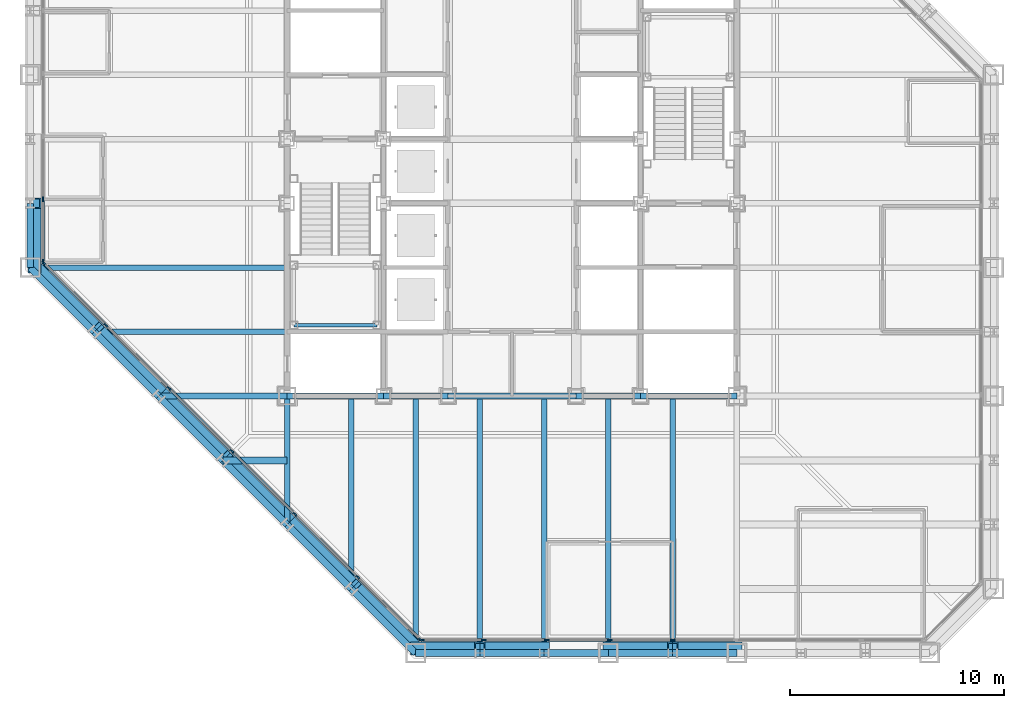
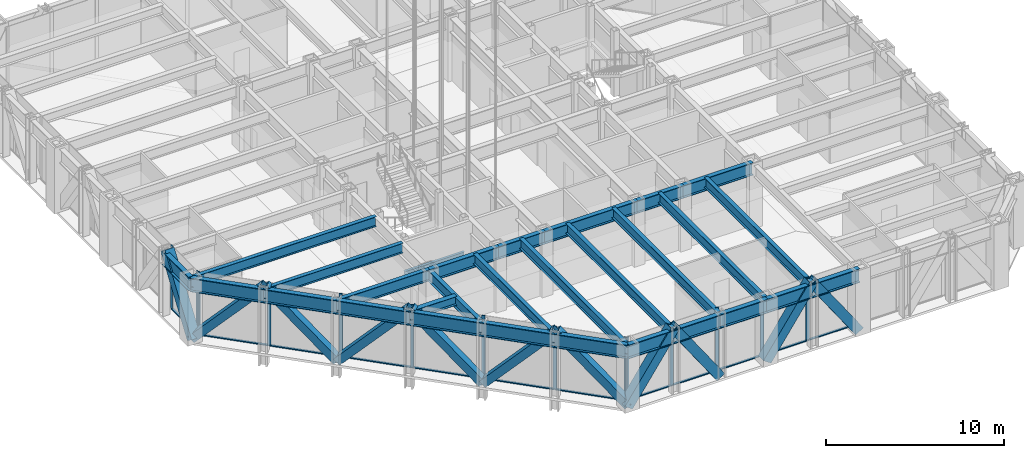
# One storey, part 4 of 26: 37 members, 29 beams, 3 elements without a shape of their own.
"""IFC4 building model written with IfcOpenShell, lengths in metres."""

from ifc_helpers import new_model, si_unit, direction, frame, origin, origin_2d, place, context, subcontext, project, spatial, rectangle, hollow_rectangle, i_section, extrude, material, layer, layer_set, material_profile, profile_set, type_object, element, aggregate, save


model = new_model("IFC4")

# Units and contexts
model_context = context("Model", 3, precision=1e-05, world=origin(), true_north=direction((0.0, 1.0)))
body_context = subcontext(model_context, "Body", "Model", "MODEL_VIEW")
ifc_project = project(units=[si_unit("LENGTHUNIT", "METRE"), si_unit("AREAUNIT", "SQUARE_METRE"), si_unit("VOLUMEUNIT", "CUBIC_METRE"), si_unit("PLANEANGLEUNIT", "RADIAN"), si_unit("MASSUNIT", "GRAM", prefix="KILO")], contexts=[model_context])

# Site, building, storey
site_placement = place(None, origin())
site = spatial("IfcSite", under=ifc_project, at=site_placement, CompositionType="ELEMENT")
building_placement = place(site_placement, origin())
building = spatial("IfcBuilding", under=site, at=building_placement, Name="Chuquiago Exchange Tower", CompositionType="ELEMENT")
storey_placement = place(building_placement, frame((0.0, 0.0, 102.300048828125)))
storey = spatial("IfcBuildingStorey", under=building, at=storey_placement, Name="L21", CompositionType="ELEMENT", Elevation=102.300048828125)

# Beams
ifc_material_1 = material(Name="Steel ASTM A992", Category="steel")
ifc_material_profile_1 = material_profile(ifc_material_1, i_section(OverallWidth=0.25390625, OverallDepth=0.683349609375, WebThickness=0.012451171875, FlangeThickness=0.018798828125, at=origin_2d()), Name="W27X94")
ifc_profile_set_1 = profile_set([ifc_material_profile_1], Name="Steel ASTM A992")
beam_type_1 = type_object("IfcBeamType", Name="B1 W27X94", PredefinedType="BEAM", material=ifc_profile_set_1)
beam_1_placement = place(storey_placement, frame((15.0, 12.0, 3.998291015625), z_axis=(0.0, -1.0, 0.0), x_axis=(1.0, 0.0, 0.0)))
element("IfcBeam", 1, at=beam_1_placement, inside=storey, type_object=beam_type_1, Name="FB-L22-infill-15_12-15_3-0", PredefinedType="BEAM", context=body_context, shape_type="SweptSolid", body=[
    extrude(i_section(OverallWidth=0.25390625, OverallDepth=0.683349609375, WebThickness=0.012451171875, FlangeThickness=0.018798828125, at=origin_2d()), origin(), (0.0, 0.0, 1.0), 9.0),
])
for number, where, z_axis, x_axis, name in (
    (2, (18.0, 12.0, 3.998291015625), (0.0, -1.0, 0.0), (1.0, 0.0, 0.0), "FB-L22-infill-18_12-18_-0-0"),
    (3, (21.0, 12.0, 3.998291015625), (0.0, -1.0, 0.0), (1.0, 0.0, 0.0), "FB-L22-infill-21_12-21_-0-0"),
    (4, (24.0, 12.0, 3.998291015625), (0.0, -1.0, 0.0), (1.0, 0.0, 0.0), "FB-L22-infill-24_12-24_-0-0"),
    (5, (27.0, 12.0, 3.998291015625), (0.0, -1.0, 0.0), (1.0, 0.0, 0.0), "FB-L22-infill-27_12-27_-0-0"),
    (6, (30.0, 12.0, 3.998291015625), (0.0, -1.0, 0.0), (1.0, 0.0, 0.0), "FB-L22-infill-30_12-30_-0-0"),
):
    element("IfcBeam", number, at=place(storey_placement, frame(where, z_axis=z_axis, x_axis=x_axis)), inside=storey, type_object=beam_type_1, Name=name, PredefinedType="BEAM", context=body_context, shape_type="SweptSolid", body=[
        extrude(i_section(OverallWidth=0.25390625, OverallDepth=0.683349609375, WebThickness=0.012451171875, FlangeThickness=0.018798828125, at=origin_2d()), origin(), (0.0, 0.0, 1.0), 12.0),
    ])
beam_2_placement = place(storey_placement, frame((12.0, 15.0, 3.998291015625), z_axis=(-1.0, 0.0, 0.0), x_axis=(0.0, -1.0, 0.0)))
element("IfcBeam", 7, at=beam_2_placement, inside=storey, type_object=beam_type_1, Name="FB-L22-infill-12_15-3_15-0", PredefinedType="BEAM", context=body_context, shape_type="SweptSolid", body=[
    extrude(i_section(OverallWidth=0.25390625, OverallDepth=0.683349609375, WebThickness=0.012451171875, FlangeThickness=0.018798828125, at=origin_2d()), origin(), (0.0, 0.0, 1.0), 9.0),
])
beam_3_placement = place(storey_placement, frame((12.0, 18.0, 3.998291015625), z_axis=(-1.0, 0.0, 0.0), x_axis=(0.0, -1.0, 0.0)))
element("IfcBeam", 8, at=beam_3_placement, inside=storey, type_object=beam_type_1, Name="FB-L22-infill-12_18--0_18-0", PredefinedType="BEAM", context=body_context, shape_type="SweptSolid", body=[
    extrude(i_section(OverallWidth=0.25390625, OverallDepth=0.683349609375, WebThickness=0.012451171875, FlangeThickness=0.018798828125, at=origin_2d()), origin(), (0.0, 0.0, 1.0), 12.0),
])
ifc_material_2 = material(Name="Steel ASTM A992", Category="steel")
ifc_material_profile_2 = material_profile(ifc_material_2, i_section(OverallWidth=0.3251953125, OverallDepth=0.612060546875, WebThickness=0.0126953125, FlangeThickness=0.01904296875, at=origin_2d()), Name="W24X104")
ifc_profile_set_2 = profile_set([ifc_material_profile_2], Name="Steel ASTM A992")
beam_type_2 = type_object("IfcBeamType", Name="B2 W24X104", PredefinedType="BEAM", material=ifc_profile_set_2)
beam_4_placement = place(storey_placement, frame((12.0, 9.0, 4.033935546875), z_axis=(-1.0, 0.0, 0.0), x_axis=(0.0, -1.0, 0.0)))
element("IfcBeam", 9, at=beam_4_placement, inside=storey, type_object=beam_type_2, Name="FB-L22-corner-12_9-9_9-0", PredefinedType="BEAM", context=body_context, shape_type="SweptSolid", body=[
    extrude(i_section(OverallWidth=0.3251953125, OverallDepth=0.612060546875, WebThickness=0.0126953125, FlangeThickness=0.01904296875, at=origin_2d()), origin(), (0.0, 0.0, 1.0), 3.0),
])
ifc_material_3 = material(Name="Steel ASTM A992", Category="steel")
ifc_material_profile_3 = material_profile(ifc_material_3, i_section(OverallWidth=0.2919921875, OverallDepth=0.8583984375, WebThickness=0.01708984375, FlangeThickness=0.031005859375, at=origin_2d()), Name="W33X169")
ifc_profile_set_3 = profile_set([ifc_material_profile_3], Name="Steel ASTM A992")
beam_type_3 = type_object("IfcBeamType", Name="B3 W33X169", PredefinedType="BEAM", material=ifc_profile_set_3)
beam_5_placement = place(storey_placement, frame((12.0, 12.0, 3.91064453125), z_axis=(1.0, 0.0, 0.0), x_axis=(0.0, 1.0, 0.0)))
element("IfcBeam", 10, at=beam_5_placement, inside=storey, type_object=beam_type_3, Name="CB-L22-12_12-16.5_12", PredefinedType="BEAM", context=body_context, shape_type="SweptSolid", body=[
    extrude(i_section(OverallWidth=0.2919921875, OverallDepth=0.8583984375, WebThickness=0.01708984375, FlangeThickness=0.031005859375, at=origin_2d()), origin(), (0.0, 0.0, 1.0), 4.5),
])
beam_6_placement = place(storey_placement, frame((16.5, 12.0, 3.91064453125), z_axis=(1.0, 0.0, 0.0), x_axis=(0.0, 1.0, 0.0)))
element("IfcBeam", 11, at=beam_6_placement, inside=storey, type_object=beam_type_3, Name="CB-L22-16.5_12-19.5_12", PredefinedType="BEAM", context=body_context, shape_type="SweptSolid", body=[
    extrude(i_section(OverallWidth=0.2919921875, OverallDepth=0.8583984375, WebThickness=0.01708984375, FlangeThickness=0.031005859375, at=origin_2d()), origin(), (0.0, 0.0, 1.0), 3.0),
])
beam_7_placement = place(storey_placement, frame((19.5, 12.0, 3.91064453125), z_axis=(1.0, 0.0, 0.0), x_axis=(0.0, 1.0, 0.0)))
element("IfcBeam", 12, at=beam_7_placement, inside=storey, type_object=beam_type_3, Name="CB-L22-19.5_12-25.5_12", PredefinedType="BEAM", context=body_context, shape_type="SweptSolid", body=[
    extrude(i_section(OverallWidth=0.2919921875, OverallDepth=0.8583984375, WebThickness=0.01708984375, FlangeThickness=0.031005859375, at=origin_2d()), origin(), (0.0, 0.0, 1.0), 6.0),
])
beam_8_placement = place(storey_placement, frame((25.5, 12.0, 3.91064453125), z_axis=(1.0, 0.0, 0.0), x_axis=(0.0, 1.0, 0.0)))
element("IfcBeam", 13, at=beam_8_placement, inside=storey, type_object=beam_type_3, Name="CB-L22-25.5_12-28.5_12", PredefinedType="BEAM", context=body_context, shape_type="SweptSolid", body=[
    extrude(i_section(OverallWidth=0.2919921875, OverallDepth=0.8583984375, WebThickness=0.01708984375, FlangeThickness=0.031005859375, at=origin_2d()), origin(), (0.0, 0.0, 1.0), 3.0),
])
beam_9_placement = place(storey_placement, frame((28.5, 12.0, 3.91064453125), z_axis=(1.0, 0.0, 0.0), x_axis=(0.0, 1.0, 0.0)))
element("IfcBeam", 14, at=beam_9_placement, inside=storey, type_object=beam_type_3, Name="CB-L22-28.5_12-33_12", PredefinedType="BEAM", context=body_context, shape_type="SweptSolid", body=[
    extrude(i_section(OverallWidth=0.2919921875, OverallDepth=0.8583984375, WebThickness=0.01708984375, FlangeThickness=0.031005859375, at=origin_2d()), origin(), (0.0, 0.0, 1.0), 4.5),
])

# Curtain wall, members
ifc_material_4 = material(Name="Aluminium curtain wall system", Category="aluminium")
ifc_layer_1 = layer(ifc_material_4, 0.22509765625)
ifc_layer_set_1 = layer_set([ifc_layer_1], Name="CW2 office curtain wall")
curtain_wall_type_1 = type_object("IfcCurtainWallType", Name="CW2 office curtain wall", PredefinedType="NOTDEFINED", material=ifc_layer_set_1)
curtain_wall_1_placement = place(storey_placement, origin())
curtain_wall_1 = element("IfcCurtainWall", 15, at=curtain_wall_1_placement, inside=storey, type_object=curtain_wall_type_1, Name="CW2 curtain wall L21", PredefinedType="NOTDEFINED")
ifc_material_5 = material(Name="Aluminium mullion, pale anodised", Category="aluminium")
ifc_material_profile_4 = material_profile(ifc_material_5, rectangle(XDim=0.06494140625, YDim=0.22509765625, at=origin_2d()), Name="AL 65x225")
ifc_profile_set_4 = profile_set([ifc_material_profile_4], Name="Aluminium mullion, pale anodised")
member_type_1 = type_object("IfcMemberType", Name="CW2-M mullion 65x225", PredefinedType="MULLION", material=ifc_profile_set_4)
member_1_placement = place(storey_placement, frame((18.281005859375, 0.60009765625, 0.0), z_axis=(0.0, 0.0, 1.0), x_axis=(0.0, 1.0, 0.0)))
member_1 = element("IfcMember", 16, at=member_1_placement, type_object=member_type_1, Name="CW2 mullion 1", PredefinedType="MULLION", context=body_context, shape_type="SweptSolid", body=[
    extrude(rectangle(XDim=0.06494140625, YDim=0.22509765625, at=origin_2d()), origin(), (0.0, 0.0, 1.0), 4.33984375),
])
member_2_placement = place(storey_placement, frame((21.186279296875, 0.60009765625, 0.0), z_axis=(0.0, 0.0, 1.0), x_axis=(0.0, 1.0, 0.0)))
member_2 = element("IfcMember", 17, at=member_2_placement, type_object=member_type_1, Name="CW2 mullion 2", PredefinedType="MULLION", context=body_context, shape_type="SweptSolid", body=[
    extrude(rectangle(XDim=0.06494140625, YDim=0.22509765625, at=origin_2d()), origin(), (0.0, 0.0, 1.0), 4.33984375),
])
member_3_placement = place(storey_placement, frame((24.124267578125, 0.60009765625, 0.0), z_axis=(0.0, 0.0, 1.0), x_axis=(0.0, 1.0, 0.0)))
member_3 = element("IfcMember", 18, at=member_3_placement, type_object=member_type_1, Name="CW2 mullion 3", PredefinedType="MULLION", context=body_context, shape_type="SweptSolid", body=[
    extrude(rectangle(XDim=0.06494140625, YDim=0.22509765625, at=origin_2d()), origin(), (0.0, 0.0, 1.0), 4.33984375),
])
member_4_placement = place(storey_placement, frame((27.06201171875, 0.60009765625, 0.0), z_axis=(0.0, 0.0, 1.0), x_axis=(0.0, 1.0, 0.0)))
member_4 = element("IfcMember", 19, at=member_4_placement, type_object=member_type_1, Name="CW2 mullion 4", PredefinedType="MULLION", context=body_context, shape_type="SweptSolid", body=[
    extrude(rectangle(XDim=0.06494140625, YDim=0.22509765625, at=origin_2d()), origin(), (0.0, 0.0, 1.0), 4.33984375),
])
member_5_placement = place(storey_placement, frame((30.0, 0.60009765625, 0.0), z_axis=(0.0, 0.0, 1.0), x_axis=(0.0, 1.0, 0.0)))
member_5 = element("IfcMember", 20, at=member_5_placement, type_object=member_type_1, Name="CW2 mullion 5", PredefinedType="MULLION", context=body_context, shape_type="SweptSolid", body=[
    extrude(rectangle(XDim=0.06494140625, YDim=0.22509765625, at=origin_2d()), origin(), (0.0, 0.0, 1.0), 4.33984375),
])

curtain_wall_2_placement = place(storey_placement, origin())
curtain_wall_2 = element("IfcCurtainWall", 21, at=curtain_wall_2_placement, inside=storey, type_object=curtain_wall_type_1, Name="CW2 curtain wall L21", PredefinedType="NOTDEFINED")
member_6_placement = place(storey_placement, frame((0.60009765625, 21.186279296875, 0.0), z_axis=(0.0, 0.0, 1.0), x_axis=(1.0, 0.0, 0.0)))
member_6 = element("IfcMember", 22, at=member_6_placement, type_object=member_type_1, Name="CW2 mullion 8", PredefinedType="MULLION", context=body_context, shape_type="SweptSolid", body=[
    extrude(rectangle(XDim=0.06494140625, YDim=0.22509765625, at=origin_2d()), origin(), (0.0, 0.0, 1.0), 4.33984375),
])
member_7_placement = place(storey_placement, frame((0.60009765625, 18.281005859375, 0.0), z_axis=(0.0, 0.0, 1.0), x_axis=(1.0, 0.0, 0.0)))
member_7 = element("IfcMember", 23, at=member_7_placement, type_object=member_type_1, Name="CW2 mullion 9", PredefinedType="MULLION", context=body_context, shape_type="SweptSolid", body=[
    extrude(rectangle(XDim=0.06494140625, YDim=0.22509765625, at=origin_2d()), origin(), (0.0, 0.0, 1.0), 4.33984375),
])

# Member
ifc_material_6 = material(Name="Aluminium transom, pale anodised", Category="aluminium")
ifc_material_profile_5 = material_profile(ifc_material_6, rectangle(XDim=0.139892578125, YDim=0.06494140625, at=origin_2d()), Name="AL 140x65")
ifc_profile_set_5 = profile_set([ifc_material_profile_5], Name="Aluminium transom, pale anodised")
member_type_2 = type_object("IfcMemberType", Name="CW2-T transom 65x140", PredefinedType="MULLION", material=ifc_profile_set_5)
member_8_placement = place(storey_placement, frame((18.3134765625, 0.60009765625, 0.032470703125), z_axis=(1.0, 0.0, 0.0), x_axis=(0.0, 1.0, 0.0)))
member_8 = element("IfcMember", 24, at=member_8_placement, type_object=member_type_2, Name="CW2 transom 1.1", PredefinedType="MULLION", context=body_context, shape_type="SweptSolid", body=[
    extrude(rectangle(XDim=0.139892578125, YDim=0.06494140625, at=origin_2d()), origin(), (0.0, 0.0, 1.0), 2.84033203125),
])

member_9_placement = place(storey_placement, frame((21.218994140625, 0.60009765625, 0.032470703125), z_axis=(1.0, 0.0, 0.0), x_axis=(0.0, 1.0, 0.0)))
member_9 = element("IfcMember", 25, at=member_9_placement, type_object=member_type_2, Name="CW2 transom 2.1", PredefinedType="MULLION", context=body_context, shape_type="SweptSolid", body=[
    extrude(rectangle(XDim=0.139892578125, YDim=0.06494140625, at=origin_2d()), origin(), (0.0, 0.0, 1.0), 2.872802734375),
])

member_10_placement = place(storey_placement, frame((24.15673828125, 0.60009765625, 0.032470703125), z_axis=(1.0, 0.0, 0.0), x_axis=(0.0, 1.0, 0.0)))
member_10 = element("IfcMember", 26, at=member_10_placement, type_object=member_type_2, Name="CW2 transom 3.1", PredefinedType="MULLION", context=body_context, shape_type="SweptSolid", body=[
    extrude(rectangle(XDim=0.139892578125, YDim=0.06494140625, at=origin_2d()), origin(), (0.0, 0.0, 1.0), 2.872802734375),
])

member_11_placement = place(storey_placement, frame((27.0947265625, 0.60009765625, 0.032470703125), z_axis=(1.0, 0.0, 0.0), x_axis=(0.0, 1.0, 0.0)))
member_11 = element("IfcMember", 27, at=member_11_placement, type_object=member_type_2, Name="CW2 transom 4.1", PredefinedType="MULLION", context=body_context, shape_type="SweptSolid", body=[
    extrude(rectangle(XDim=0.139892578125, YDim=0.06494140625, at=origin_2d()), origin(), (0.0, 0.0, 1.0), 2.872802734375),
])

member_12_placement = place(storey_placement, frame((30.032470703125, 0.60009765625, 0.032470703125), z_axis=(1.0, 0.0, 0.0), x_axis=(0.0, 1.0, 0.0)))
member_12 = element("IfcMember", 28, at=member_12_placement, type_object=member_type_2, Name="CW2 transom 5.1", PredefinedType="MULLION", context=body_context, shape_type="SweptSolid", body=[
    extrude(rectangle(XDim=0.139892578125, YDim=0.06494140625, at=origin_2d()), origin(), (0.0, 0.0, 1.0), 2.872802734375),
])

aggregate(curtain_wall_1, [member_1, member_2, member_3, member_4, member_5, member_8, member_9, member_10, member_11, member_12])

member_13_placement = place(storey_placement, frame((0.60009765625, 21.15380859375, 0.032470703125), z_axis=(0.0, -1.0, 0.0), x_axis=(1.0, 0.0, 0.0)))
member_13 = element("IfcMember", 29, at=member_13_placement, type_object=member_type_2, Name="CW2 transom 8.1", PredefinedType="MULLION", context=body_context, shape_type="SweptSolid", body=[
    extrude(rectangle(XDim=0.139892578125, YDim=0.06494140625, at=origin_2d()), origin(), (0.0, 0.0, 1.0), 2.84033203125),
])

aggregate(curtain_wall_2, [member_6, member_7, member_13])

# Curtain wall, members
ifc_material_7 = material(Name="Aluminium curtain wall system", Category="aluminium")
ifc_layer_2 = layer(ifc_material_7, 0.199951171875)
ifc_layer_set_2 = layer_set([ifc_layer_2], Name="CW3 facet curtain wall")
curtain_wall_type_2 = type_object("IfcCurtainWallType", Name="CW3 facet curtain wall", PredefinedType="NOTDEFINED", material=ifc_layer_set_2)
curtain_wall_3_placement = place(storey_placement, origin())
curtain_wall_3 = element("IfcCurtainWall", 30, at=curtain_wall_3_placement, inside=storey, type_object=curtain_wall_type_2, Name="CW3 curtain wall L21", PredefinedType="NOTDEFINED")
ifc_material_8 = material(Name="Aluminium mullion, pale anodised", Category="aluminium")
ifc_material_profile_6 = material_profile(ifc_material_8, rectangle(XDim=0.06494140625, YDim=0.199951171875, at=origin_2d()), Name="AL 65x200")
ifc_profile_set_6 = profile_set([ifc_material_profile_6], Name="Aluminium mullion, pale anodised")
member_type_3 = type_object("IfcMemberType", Name="CW3-M mullion 65x200", PredefinedType="MULLION", material=ifc_profile_set_6)
member_14_placement = place(storey_placement, frame((0.623046875, 18.2255859375, 0.0), z_axis=(0.0, 0.0, 1.0), x_axis=(0.707106781187, 0.707106781187, 0.0)))
member_14 = element("IfcMember", 31, at=member_14_placement, type_object=member_type_3, Name="CW3 mullion 1", PredefinedType="MULLION", context=body_context, shape_type="SweptSolid", body=[
    extrude(rectangle(XDim=0.06494140625, YDim=0.199951171875, at=origin_2d()), origin(), (0.0, 0.0, 1.0), 4.33984375),
])
member_15_placement = place(storey_placement, frame((3.54150390625, 15.30712890625, 0.0), z_axis=(0.0, 0.0, 1.0), x_axis=(0.707106781187, 0.707106781187, 0.0)))
member_15 = element("IfcMember", 32, at=member_15_placement, type_object=member_type_3, Name="CW3 mullion 2", PredefinedType="MULLION", context=body_context, shape_type="SweptSolid", body=[
    extrude(rectangle(XDim=0.06494140625, YDim=0.199951171875, at=origin_2d()), origin(), (0.0, 0.0, 1.0), 4.33984375),
])
member_16_placement = place(storey_placement, frame((6.48291015625, 12.36572265625, 0.0), z_axis=(0.0, 0.0, 1.0), x_axis=(0.707106781187, 0.707106781187, 0.0)))
member_16 = element("IfcMember", 33, at=member_16_placement, type_object=member_type_3, Name="CW3 mullion 3", PredefinedType="MULLION", context=body_context, shape_type="SweptSolid", body=[
    extrude(rectangle(XDim=0.06494140625, YDim=0.199951171875, at=origin_2d()), origin(), (0.0, 0.0, 1.0), 4.33984375),
])
member_17_placement = place(storey_placement, frame((9.42431640625, 9.42431640625, 0.0), z_axis=(0.0, 0.0, 1.0), x_axis=(0.707106781187, 0.707106781187, 0.0)))
member_17 = element("IfcMember", 34, at=member_17_placement, type_object=member_type_3, Name="CW3 mullion 4", PredefinedType="MULLION", context=body_context, shape_type="SweptSolid", body=[
    extrude(rectangle(XDim=0.06494140625, YDim=0.199951171875, at=origin_2d()), origin(), (0.0, 0.0, 1.0), 4.33984375),
])
member_18_placement = place(storey_placement, frame((12.36572265625, 6.48291015625, 0.0), z_axis=(0.0, 0.0, 1.0), x_axis=(0.707106781187, 0.707106781187, 0.0)))
member_18 = element("IfcMember", 35, at=member_18_placement, type_object=member_type_3, Name="CW3 mullion 5", PredefinedType="MULLION", context=body_context, shape_type="SweptSolid", body=[
    extrude(rectangle(XDim=0.06494140625, YDim=0.199951171875, at=origin_2d()), origin(), (0.0, 0.0, 1.0), 4.33984375),
])
member_19_placement = place(storey_placement, frame((15.30712890625, 3.54150390625, 0.0), z_axis=(0.0, 0.0, 1.0), x_axis=(0.707106781187, 0.707106781187, 0.0)))
member_19 = element("IfcMember", 36, at=member_19_placement, type_object=member_type_3, Name="CW3 mullion 6", PredefinedType="MULLION", context=body_context, shape_type="SweptSolid", body=[
    extrude(rectangle(XDim=0.06494140625, YDim=0.199951171875, at=origin_2d()), origin(), (0.0, 0.0, 1.0), 4.33984375),
])
member_20_placement = place(storey_placement, frame((18.2255859375, 0.623046875, 0.0), z_axis=(0.0, 0.0, 1.0), x_axis=(0.707106781187, 0.707106781187, 0.0)))
member_20 = element("IfcMember", 37, at=member_20_placement, type_object=member_type_3, Name="CW3 mullion 7", PredefinedType="MULLION", context=body_context, shape_type="SweptSolid", body=[
    extrude(rectangle(XDim=0.06494140625, YDim=0.199951171875, at=origin_2d()), origin(), (0.0, 0.0, 1.0), 4.33984375),
])
ifc_material_9 = material(Name="Aluminium transom, pale anodised", Category="aluminium")
ifc_material_profile_7 = material_profile(ifc_material_9, rectangle(XDim=0.139892578125, YDim=0.06494140625, at=origin_2d()), Name="AL 140x65")
ifc_profile_set_7 = profile_set([ifc_material_profile_7], Name="Aluminium transom, pale anodised")
member_type_4 = type_object("IfcMemberType", Name="CW3-T transom 65x140", PredefinedType="MULLION", material=ifc_profile_set_7)
member_21_placement = place(storey_placement, frame((0.64599609375, 18.20263671875, 0.032470703125), z_axis=(0.707106781187, -0.707106781187, 0.0), x_axis=(0.707106781187, 0.707106781187, 0.0)))
member_21 = element("IfcMember", 38, at=member_21_placement, type_object=member_type_4, Name="CW3 transom 1.1", PredefinedType="MULLION", context=body_context, shape_type="SweptSolid", body=[
    extrude(rectangle(XDim=0.139892578125, YDim=0.06494140625, at=origin_2d()), origin(), (0.0, 0.0, 1.0), 4.0625),
])
member_22_placement = place(storey_placement, frame((3.564453125, 15.2841796875, 0.032470703125), z_axis=(0.707106781187, -0.707106781187, 0.0), x_axis=(0.707106781187, 0.707106781187, 0.0)))
member_22 = element("IfcMember", 39, at=member_22_placement, type_object=member_type_4, Name="CW3 transom 2.1", PredefinedType="MULLION", context=body_context, shape_type="SweptSolid", body=[
    extrude(rectangle(XDim=0.139892578125, YDim=0.06494140625, at=origin_2d()), origin(), (0.0, 0.0, 1.0), 4.094970703125),
])
member_23_placement = place(storey_placement, frame((6.505859375, 12.3427734375, 0.032470703125), z_axis=(0.707106781187, -0.707106781187, 0.0), x_axis=(0.707106781187, 0.707106781187, 0.0)))
member_23 = element("IfcMember", 40, at=member_23_placement, type_object=member_type_4, Name="CW3 transom 3.1", PredefinedType="MULLION", context=body_context, shape_type="SweptSolid", body=[
    extrude(rectangle(XDim=0.139892578125, YDim=0.06494140625, at=origin_2d()), origin(), (0.0, 0.0, 1.0), 4.094970703125),
])
member_24_placement = place(storey_placement, frame((9.447265625, 9.4013671875, 0.032470703125), z_axis=(0.707106781187, -0.707106781187, 0.0), x_axis=(0.707106781187, 0.707106781187, 0.0)))
member_24 = element("IfcMember", 41, at=member_24_placement, type_object=member_type_4, Name="CW3 transom 4.1", PredefinedType="MULLION", context=body_context, shape_type="SweptSolid", body=[
    extrude(rectangle(XDim=0.139892578125, YDim=0.06494140625, at=origin_2d()), origin(), (0.0, 0.0, 1.0), 4.094970703125),
])
member_25_placement = place(storey_placement, frame((12.388671875, 6.4599609375, 0.032470703125), z_axis=(0.707106781187, -0.707106781187, 0.0), x_axis=(0.707106781187, 0.707106781187, 0.0)))
member_25 = element("IfcMember", 42, at=member_25_placement, type_object=member_type_4, Name="CW3 transom 5.1", PredefinedType="MULLION", context=body_context, shape_type="SweptSolid", body=[
    extrude(rectangle(XDim=0.139892578125, YDim=0.06494140625, at=origin_2d()), origin(), (0.0, 0.0, 1.0), 4.094970703125),
])
member_26_placement = place(storey_placement, frame((15.330078125, 3.5185546875, 0.032470703125), z_axis=(0.707106781187, -0.707106781187, 0.0), x_axis=(0.707106781187, 0.707106781187, 0.0)))
member_26 = element("IfcMember", 43, at=member_26_placement, type_object=member_type_4, Name="CW3 transom 6.1", PredefinedType="MULLION", context=body_context, shape_type="SweptSolid", body=[
    extrude(rectangle(XDim=0.139892578125, YDim=0.06494140625, at=origin_2d()), origin(), (0.0, 0.0, 1.0), 4.0625),
])
aggregate(curtain_wall_3, [member_14, member_15, member_16, member_17, member_18, member_19, member_20, member_21, member_22, member_23, member_24, member_25, member_26])

# Beams
ifc_material_10 = material(Name="Steel ASTM A992", Category="steel")
ifc_material_profile_8 = material_profile(ifc_material_10, i_section(OverallWidth=0.2666015625, OverallDepth=0.76953125, WebThickness=0.015625, FlangeThickness=0.025390625, at=origin_2d()), Name="W30X132")
ifc_profile_set_8 = profile_set([ifc_material_profile_8], Name="Steel ASTM A992")
beam_type_4 = type_object("IfcBeamType", Name="G1 W30X132", PredefinedType="BEAM", material=ifc_profile_set_8)
for number, where, z_axis, x_axis, name in (
    (44, (12.0, 12.0, 3.955078125), (0.0, -1.0, 0.0), (1.0, 0.0, 0.0), "FB-L22-girder-12_12-12_6-0"),
    (45, (12.0, 12.0, 3.955078125), (-1.0, 0.0, 0.0), (0.0, -1.0, 0.0), "FB-L22-girder-12_12-6_12-0"),
):
    element("IfcBeam", number, at=place(storey_placement, frame(where, z_axis=z_axis, x_axis=x_axis)), inside=storey, type_object=beam_type_4, Name=name, PredefinedType="BEAM", context=body_context, shape_type="SweptSolid", body=[
        extrude(i_section(OverallWidth=0.2666015625, OverallDepth=0.76953125, WebThickness=0.015625, FlangeThickness=0.025390625, at=origin_2d()), origin(), (0.0, 0.0, 1.0), 6.0),
    ])

# Members
ifc_material_11 = material(Name="Steel ASTM A500 Grade C", Category="steel")
ifc_material_profile_9 = material_profile(ifc_material_11, hollow_rectangle(XDim=0.508056640625, YDim=0.508056640625, WallThickness=0.017822265625, at=origin_2d()), Name="HSS20X20X3/4")
ifc_profile_set_9 = profile_set([ifc_material_profile_9], Name="Steel ASTM A500 Grade C")
member_type_5 = type_object("IfcMemberType", Name="LB1 HSS20X20X3/4", PredefinedType="BRACE", material=ifc_profile_set_9)
for number, where, z_axis, x_axis, name in (
    (46, (0.177490234375, 18.177490234375, 0.0), (0.494305423695, -0.494305423695, 0.715069434538), (0.707106781187, 0.707106781187, 0.0), "LB-L21-0_18-3_15"),
    (47, (6.177490234375, 12.177490234375, 0.0), (-0.494305423695, 0.494305423695, 0.715069434538), (-0.707106781187, -0.707106781187, 0.0), "LB-L21-3_15-6_12"),
    (48, (6.177490234375, 12.177490234375, 0.0), (0.494305423695, -0.494305423695, 0.715069434538), (0.707106781187, 0.707106781187, 0.0), "LB-L21-6_12-9_9"),
    (49, (12.177490234375, 6.177490234375, 0.0), (-0.494305423695, 0.494305423695, 0.715069434538), (-0.707106781187, -0.707106781187, 0.0), "LB-L21-9_9-12_6"),
    (50, (12.177490234375, 6.177490234375, 0.0), (0.494305423695, -0.494305423695, 0.715069434538), (0.707106781187, 0.707106781187, 0.0), "LB-L21-12_6-15_3"),
    (51, (18.177490234375, 0.177490234375, 0.0), (-0.494305423695, 0.494305423695, 0.715069434538), (-0.707106781187, -0.707106781187, 0.0), "LB-L21-15_3-18_0"),
):
    element("IfcMember", number, at=place(storey_placement, frame(where, z_axis=z_axis, x_axis=x_axis)), inside=storey, type_object=member_type_5, Name=name, PredefinedType="BRACE", context=body_context, shape_type="SweptSolid", body=[
        extrude(hollow_rectangle(XDim=0.508056640625, YDim=0.508056640625, WallThickness=0.017822265625, at=origin_2d()), origin(), (0.0, 0.0, 1.0), 6.069091796875),
    ])

# Beam
ifc_material_12 = material(Name="Steel ASTM A992", Category="steel")
ifc_material_profile_10 = material_profile(ifc_material_12, i_section(OverallWidth=0.164794921875, OverallDepth=0.309814453125, WebThickness=0.005859375, FlangeThickness=0.009765625, at=origin_2d()), Name="W12X26")
ifc_profile_set_10 = profile_set([ifc_material_profile_10], Name="Steel ASTM A992")
beam_type_5 = type_object("IfcBeamType", Name="LT1 W12X26", PredefinedType="BEAM", material=ifc_profile_set_10)
beam_10_placement = place(storey_placement, frame((12.31005859375, 15.31005859375, 1.89501953125), z_axis=(1.0, 0.0, 0.0), x_axis=(0.0, 1.0, 0.0)))
element("IfcBeam", 52, at=beam_10_placement, inside=storey, type_object=beam_type_5, Name="Stair ST1 L21 landing 1 trimmer", PredefinedType="BEAM", context=body_context, shape_type="SweptSolid", body=[
    extrude(i_section(OverallWidth=0.164794921875, OverallDepth=0.309814453125, WebThickness=0.005859375, FlangeThickness=0.009765625, at=origin_2d()), origin(), (0.0, 0.0, 1.0), 3.8798828125),
])

# Members
ifc_material_13 = material(Name="Steel ASTM A572 Grade 50", Category="steel")
ifc_material_profile_11 = material_profile(ifc_material_13, hollow_rectangle(XDim=0.60009765625, YDim=0.60009765625, WallThickness=0.06005859375, at=origin_2d()), Name="BOX600X600X60")
ifc_profile_set_11 = profile_set([ifc_material_profile_11], Name="Steel ASTM A572 Grade 50")
member_type_6 = type_object("IfcMemberType", Name="MB2 BOX600X600X60", PredefinedType="BRACE", material=ifc_profile_set_11)
for number, where, z_axis, x_axis, name in (
    (53, (18.0, 0.205078125, 0.0), (0.56863232121, 0.0, 0.822591808417), (0.0, 1.0, 0.0), "Mega diagonal L21 S face"),
    (54, (24.0, 0.205078125, 0.0), (-0.56863232121, 0.0, 0.822591808417), (0.0, -1.0, 0.0), "Mega diagonal L21 S face"),
    (55, (27.0, 0.205078125, 0.0), (0.56863232121, 0.0, 0.822591808417), (0.0, 1.0, 0.0), "Mega diagonal L21 S face"),
    (56, (33.0, 0.205078125, 0.0), (-0.56863232121, 0.0, 0.822591808417), (0.0, -1.0, 0.0), "Mega diagonal L21 S face"),
    (57, (0.205078125, 18.0, 0.0), (0.0, 0.56863232121, 0.822591808417), (-1.0, 0.0, 0.0), "Mega diagonal L21 W face"),
):
    element("IfcMember", number, at=place(storey_placement, frame(where, z_axis=z_axis, x_axis=x_axis)), inside=storey, type_object=member_type_6, Name=name, PredefinedType="BRACE", context=body_context, shape_type="SweptSolid", body=[
        extrude(hollow_rectangle(XDim=0.60009765625, YDim=0.60009765625, WallThickness=0.06005859375, at=origin_2d()), origin(), (0.0, 0.0, 1.0), 5.27587890625),
    ])

# Beams
ifc_material_14 = material(Name="Steel ASTM A992", Category="steel")
ifc_material_profile_12 = material_profile(ifc_material_14, i_section(OverallWidth=0.309814453125, OverallDepth=0.949951171875, WebThickness=0.0244140625, FlangeThickness=0.0439453125, at=origin_2d()), Name="W36X256")
ifc_profile_set_12 = profile_set([ifc_material_profile_12], Name="Steel ASTM A992")
beam_type_6 = type_object("IfcBeamType", Name="SP2 W36X256", PredefinedType="SPANDREL", material=ifc_profile_set_12)
for number, where, z_axis, x_axis, name in (
    (58, (18.0, 0.0, 3.864990234375), (1.0, 0.0, 0.0), (0.0, 1.0, 0.0), "SPB-L22-18_0-21_0"),
    (59, (21.0, 0.0, 3.864990234375), (1.0, 0.0, 0.0), (0.0, 1.0, 0.0), "SPB-L22-21_0-24_0"),
    (60, (24.0, 0.0, 3.864990234375), (1.0, 0.0, 0.0), (0.0, 1.0, 0.0), "SPB-L22-24_0-27_0"),
    (61, (27.0, 0.0, 3.864990234375), (1.0, 0.0, 0.0), (0.0, 1.0, 0.0), "SPB-L22-27_0-30_0"),
    (62, (30.0, 0.0, 3.864990234375), (1.0, 0.0, 0.0), (0.0, 1.0, 0.0), "SPB-L22-30_0-33_0"),
    (63, (0.0, 21.0, 3.864990234375), (0.0, -1.0, 0.0), (1.0, 0.0, 0.0), "SPB-L22-0_21-0_18"),
):
    element("IfcBeam", number, at=place(storey_placement, frame(where, z_axis=z_axis, x_axis=x_axis)), inside=storey, type_object=beam_type_6, Name=name, PredefinedType="SPANDREL", context=body_context, shape_type="SweptSolid", body=[
        extrude(i_section(OverallWidth=0.309814453125, OverallDepth=0.949951171875, WebThickness=0.0244140625, FlangeThickness=0.0439453125, at=origin_2d()), origin(), (0.0, 0.0, 1.0), 3.0),
    ])
for number, where, z_axis, x_axis, name in (
    (64, (0.0, 18.0, 3.864990234375), (0.707106781187, -0.707106781187, 0.0), (0.707106781187, 0.707106781187, 0.0), "SPB-L22-0_18-3_15"),
    (65, (3.0, 15.0, 3.864990234375), (0.707106781187, -0.707106781187, 0.0), (0.707106781187, 0.707106781187, 0.0), "SPB-L22-3_15-6_12"),
    (66, (6.0, 12.0, 3.864990234375), (0.707106781187, -0.707106781187, 0.0), (0.707106781187, 0.707106781187, 0.0), "SPB-L22-6_12-9_9"),
    (67, (9.0, 9.0, 3.864990234375), (0.707106781187, -0.707106781187, 0.0), (0.707106781187, 0.707106781187, 0.0), "SPB-L22-9_9-12_6"),
    (68, (12.0, 6.0, 3.864990234375), (0.707106781187, -0.707106781187, 0.0), (0.707106781187, 0.707106781187, 0.0), "SPB-L22-12_6-15_3"),
    (69, (15.0, 3.0, 3.864990234375), (0.707106781187, -0.707106781187, 0.0), (0.707106781187, 0.707106781187, 0.0), "SPB-L22-15_3-18_0"),
):
    element("IfcBeam", number, at=place(storey_placement, frame(where, z_axis=z_axis, x_axis=x_axis)), inside=storey, type_object=beam_type_6, Name=name, PredefinedType="SPANDREL", context=body_context, shape_type="SweptSolid", body=[
        extrude(i_section(OverallWidth=0.309814453125, OverallDepth=0.949951171875, WebThickness=0.0244140625, FlangeThickness=0.0439453125, at=origin_2d()), origin(), (0.0, 0.0, 1.0), 4.24267578125),
    ])

save(model, "model.ifc")
